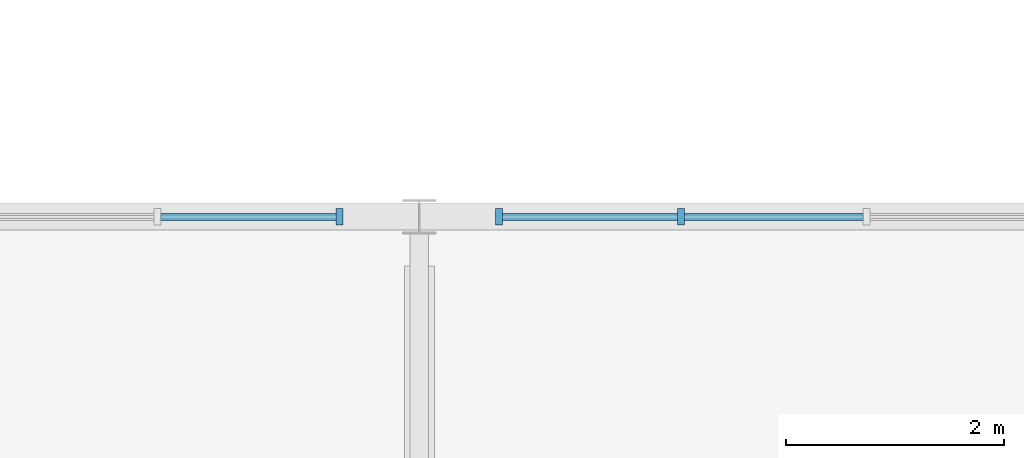
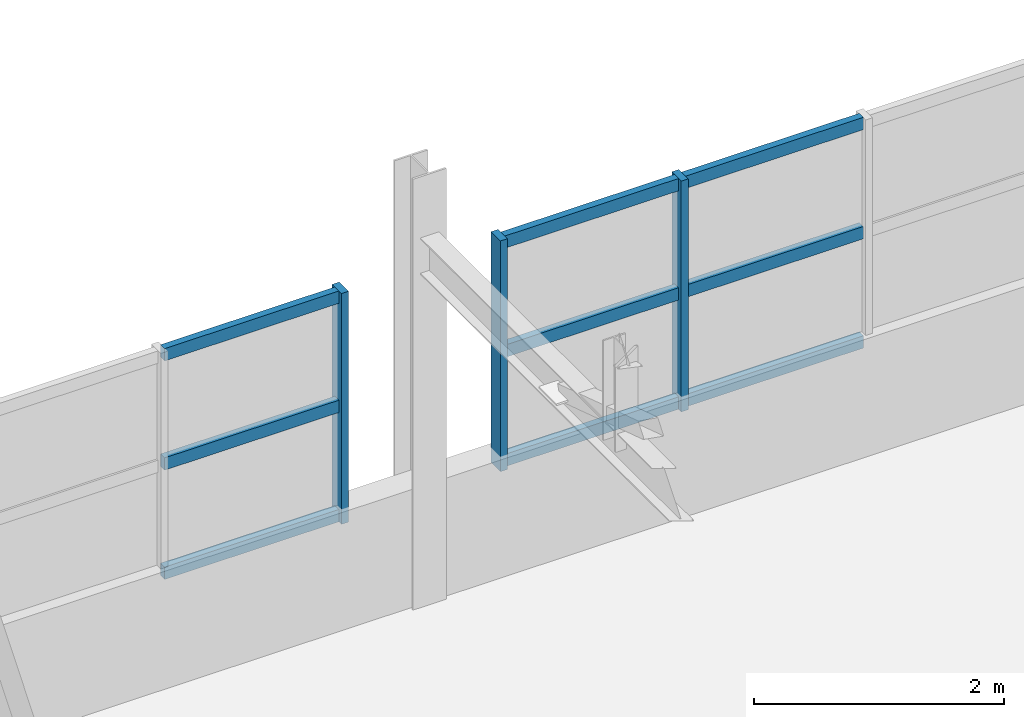
# One storey, part 19 of 90: 12 members, 2 elements without a shape of their own.
"""IFC4 building model written with IfcOpenShell, lengths in metres."""

from ifc_helpers import new_model, si_unit, direction, frame, origin, origin_2d, place, context, subcontext, project, spatial, rectangle, extrude, material, material_profile, profile_set, type_object, element, aggregate, save


model = new_model("IFC4")

# Units and contexts
model_context = context("Model", 3, precision=1e-05, world=origin(), true_north=direction((0.0, 1.0)))
body_context = subcontext(model_context, "Body", "Model", "MODEL_VIEW")
ifc_project = project(units=[si_unit("LENGTHUNIT", "METRE"), si_unit("AREAUNIT", "SQUARE_METRE"), si_unit("VOLUMEUNIT", "CUBIC_METRE"), si_unit("PLANEANGLEUNIT", "RADIAN"), si_unit("MASSUNIT", "GRAM", prefix="KILO")], contexts=[model_context])

# Site, building, storey
site_placement = place(None, origin())
site = spatial("IfcSite", under=ifc_project, at=site_placement, CompositionType="ELEMENT")
building_placement = place(site_placement, origin())
building = spatial("IfcBuilding", under=site, at=building_placement, Name="Solanera Park Tramway Depot", CompositionType="ELEMENT")
storey_placement = place(building_placement, frame((0.0, 0.0, 9.0)))
storey = spatial("IfcBuildingStorey", under=building, at=storey_placement, Name="L02", CompositionType="ELEMENT", Elevation=9.0)

# Curtain wall, member
ifc_material_1 = material(Name="Bronze-anodised thermally broken aluminium curtain wall", Category="aluminium")
curtain_wall_type = type_object("IfcCurtainWallType", Name="Workshop Daylight Ribbon Curtain Wall", PredefinedType="NOTDEFINED", material=ifc_material_1)
curtain_wall_1_placement = place(storey_placement, origin())
curtain_wall_1 = element("IfcCurtainWall", 1, at=curtain_wall_1_placement, inside=storey, type_object=curtain_wall_type, Name="L02 Workshop Daylight Ribbon Curtain Wall #159", PredefinedType="NOTDEFINED")
ifc_material_2 = material(Name="Bronze-anodised structural aluminium 6063-T6", Category="aluminium")
ifc_material_profile_1 = material_profile(ifc_material_2, rectangle(XDim=0.06494140625, YDim=0.14990234375, at=origin_2d()), Name="Curtain Wall Mullion 65x150")
ifc_profile_set_1 = profile_set([ifc_material_profile_1], Name="Bronze-anodised structural aluminium 6063-T6")
member_type_1 = type_object("IfcMemberType", Name="Curtain Wall Mullion 65x150", PredefinedType="MULLION", material=ifc_profile_set_1)
member_1_placement = place(storey_placement, frame((59.267578125, 32.39990234375, 1.0), z_axis=(0.0, 0.0, 1.0), x_axis=(1.0, 0.0, 0.0)))
member_1 = element("IfcMember", 2, at=member_1_placement, type_object=member_type_1, Name="CW-L02-159 Mullion 9", PredefinedType="MULLION", context=body_context, shape_type="SweptSolid", body=[
    extrude(rectangle(XDim=0.06494140625, YDim=0.14990234375, at=origin_2d()), origin(), (0.0, 0.0, 1.0), 2.25),
])

# Curtain wall, members
curtain_wall_2_placement = place(storey_placement, origin())
curtain_wall_2 = element("IfcCurtainWall", 3, at=curtain_wall_2_placement, inside=storey, type_object=curtain_wall_type, Name="L02 Workshop Daylight Ribbon Curtain Wall #161", PredefinedType="NOTDEFINED")
member_2_placement = place(storey_placement, frame((60.732421875, 32.39990234375, 1.0), z_axis=(0.0, 0.0, 1.0), x_axis=(1.0, 0.0, 0.0)))
member_2 = element("IfcMember", 4, at=member_2_placement, type_object=member_type_1, Name="CW-L02-161 Mullion 1", PredefinedType="MULLION", context=body_context, shape_type="SweptSolid", body=[
    extrude(rectangle(XDim=0.06494140625, YDim=0.14990234375, at=origin_2d()), origin(), (0.0, 0.0, 1.0), 2.25),
])
member_3_placement = place(storey_placement, frame((62.39990234375, 32.39990234375, 1.0), z_axis=(0.0, 0.0, 1.0), x_axis=(1.0, 0.0, 0.0)))
member_3 = element("IfcMember", 5, at=member_3_placement, type_object=member_type_1, Name="CW-L02-161 Mullion 2", PredefinedType="MULLION", context=body_context, shape_type="SweptSolid", body=[
    extrude(rectangle(XDim=0.06494140625, YDim=0.14990234375, at=origin_2d()), origin(), (0.0, 0.0, 1.0), 2.25),
])

# Member
ifc_material_3 = material(Name="Bronze-anodised structural aluminium 6063-T6", Category="aluminium")
ifc_material_profile_2 = material_profile(ifc_material_3, rectangle(XDim=0.06494140625, YDim=0.1201171875, at=origin_2d()), Name="Curtain Wall Transom 65x120")
ifc_profile_set_2 = profile_set([ifc_material_profile_2], Name="Bronze-anodised structural aluminium 6063-T6")
member_type_2 = type_object("IfcMemberType", Name="Curtain Wall Transom 65x120", PredefinedType="USERDEFINED", material=ifc_profile_set_2)
member_4_placement = place(storey_placement, frame((57.6279296875, 32.39990234375, 1.06005859375), z_axis=(1.0, 0.0, 0.0), x_axis=(0.0, 1.0, 0.0)))
member_4 = element("IfcMember", 6, at=member_4_placement, type_object=member_type_2, Name="CW-L02-159 Transom R1.C8", ObjectType="TRANSOM", PredefinedType="USERDEFINED", context=body_context, shape_type="SweptSolid", body=[
    extrude(rectangle(XDim=0.06494140625, YDim=0.1201171875, at=origin_2d()), origin(), (0.0, 0.0, 1.0), 1.611572265625),
])

member_5_placement = place(storey_placement, frame((57.6279296875, 32.39990234375, 2.125), z_axis=(1.0, 0.0, 0.0), x_axis=(0.0, 1.0, 0.0)))
member_5 = element("IfcMember", 7, at=member_5_placement, type_object=member_type_2, Name="CW-L02-159 Transom R2.C8", ObjectType="TRANSOM", PredefinedType="USERDEFINED", context=body_context, shape_type="SweptSolid", body=[
    extrude(rectangle(XDim=0.06494140625, YDim=0.1201171875, at=origin_2d()), origin(), (0.0, 0.0, 1.0), 1.611572265625),
])

member_6_placement = place(storey_placement, frame((57.6279296875, 32.39990234375, 3.18994140625), z_axis=(1.0, 0.0, 0.0), x_axis=(0.0, 1.0, 0.0)))
member_6 = element("IfcMember", 8, at=member_6_placement, type_object=member_type_2, Name="CW-L02-159 Transom R3.C8", ObjectType="TRANSOM", PredefinedType="USERDEFINED", context=body_context, shape_type="SweptSolid", body=[
    extrude(rectangle(XDim=0.06494140625, YDim=0.1201171875, at=origin_2d()), origin(), (0.0, 0.0, 1.0), 1.611572265625),
])

aggregate(curtain_wall_1, [member_1, member_4, member_5, member_6])

member_7_placement = place(storey_placement, frame((60.760498046875, 32.39990234375, 1.06005859375), z_axis=(1.0, 0.0, 0.0), x_axis=(0.0, 1.0, 0.0)))
member_7 = element("IfcMember", 9, at=member_7_placement, type_object=member_type_2, Name="CW-L02-161 Transom R1.C1", ObjectType="TRANSOM", PredefinedType="USERDEFINED", context=body_context, shape_type="SweptSolid", body=[
    extrude(rectangle(XDim=0.06494140625, YDim=0.1201171875, at=origin_2d()), origin(), (0.0, 0.0, 1.0), 1.611572265625),
])

member_8_placement = place(storey_placement, frame((62.427978515625, 32.39990234375, 1.06005859375), z_axis=(1.0, 0.0, 0.0), x_axis=(0.0, 1.0, 0.0)))
member_8 = element("IfcMember", 10, at=member_8_placement, type_object=member_type_2, Name="CW-L02-161 Transom R1.C2", ObjectType="TRANSOM", PredefinedType="USERDEFINED", context=body_context, shape_type="SweptSolid", body=[
    extrude(rectangle(XDim=0.06494140625, YDim=0.1201171875, at=origin_2d()), origin(), (0.0, 0.0, 1.0), 1.64404296875),
])

member_9_placement = place(storey_placement, frame((60.760498046875, 32.39990234375, 2.125), z_axis=(1.0, 0.0, 0.0), x_axis=(0.0, 1.0, 0.0)))
member_9 = element("IfcMember", 11, at=member_9_placement, type_object=member_type_2, Name="CW-L02-161 Transom R2.C1", ObjectType="TRANSOM", PredefinedType="USERDEFINED", context=body_context, shape_type="SweptSolid", body=[
    extrude(rectangle(XDim=0.06494140625, YDim=0.1201171875, at=origin_2d()), origin(), (0.0, 0.0, 1.0), 1.611572265625),
])

member_10_placement = place(storey_placement, frame((62.427978515625, 32.39990234375, 2.125), z_axis=(1.0, 0.0, 0.0), x_axis=(0.0, 1.0, 0.0)))
member_10 = element("IfcMember", 12, at=member_10_placement, type_object=member_type_2, Name="CW-L02-161 Transom R2.C2", ObjectType="TRANSOM", PredefinedType="USERDEFINED", context=body_context, shape_type="SweptSolid", body=[
    extrude(rectangle(XDim=0.06494140625, YDim=0.1201171875, at=origin_2d()), origin(), (0.0, 0.0, 1.0), 1.64404296875),
])

member_11_placement = place(storey_placement, frame((60.760498046875, 32.39990234375, 3.18994140625), z_axis=(1.0, 0.0, 0.0), x_axis=(0.0, 1.0, 0.0)))
member_11 = element("IfcMember", 13, at=member_11_placement, type_object=member_type_2, Name="CW-L02-161 Transom R3.C1", ObjectType="TRANSOM", PredefinedType="USERDEFINED", context=body_context, shape_type="SweptSolid", body=[
    extrude(rectangle(XDim=0.06494140625, YDim=0.1201171875, at=origin_2d()), origin(), (0.0, 0.0, 1.0), 1.611572265625),
])

member_12_placement = place(storey_placement, frame((62.427978515625, 32.39990234375, 3.18994140625), z_axis=(1.0, 0.0, 0.0), x_axis=(0.0, 1.0, 0.0)))
member_12 = element("IfcMember", 14, at=member_12_placement, type_object=member_type_2, Name="CW-L02-161 Transom R3.C2", ObjectType="TRANSOM", PredefinedType="USERDEFINED", context=body_context, shape_type="SweptSolid", body=[
    extrude(rectangle(XDim=0.06494140625, YDim=0.1201171875, at=origin_2d()), origin(), (0.0, 0.0, 1.0), 1.64404296875),
])

aggregate(curtain_wall_2, [member_2, member_3, member_7, member_8, member_9, member_10, member_11, member_12])

save(model, "model.ifc")
